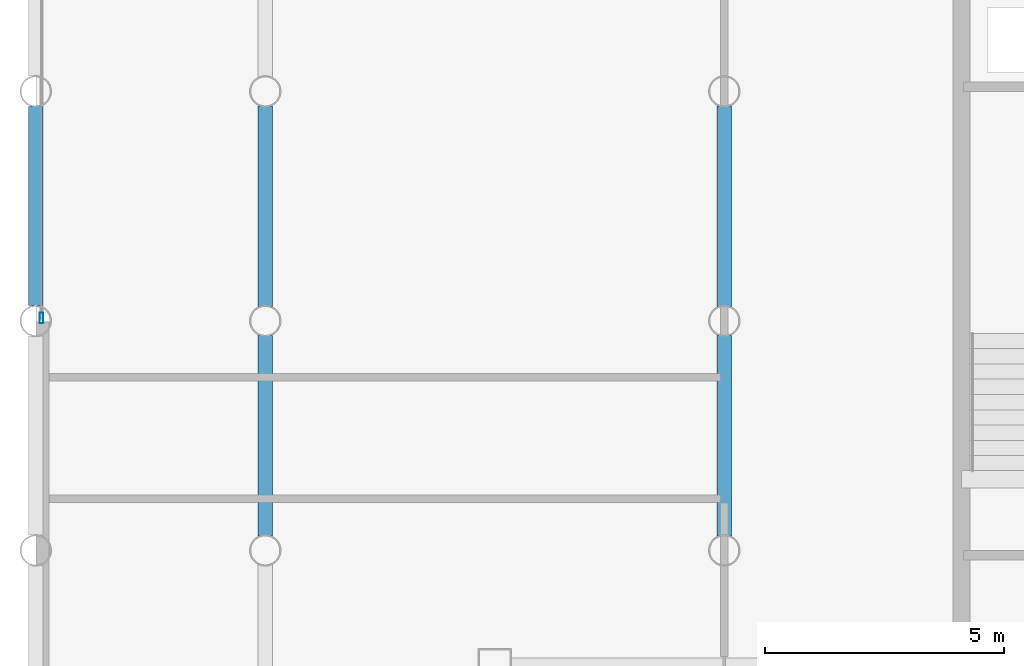
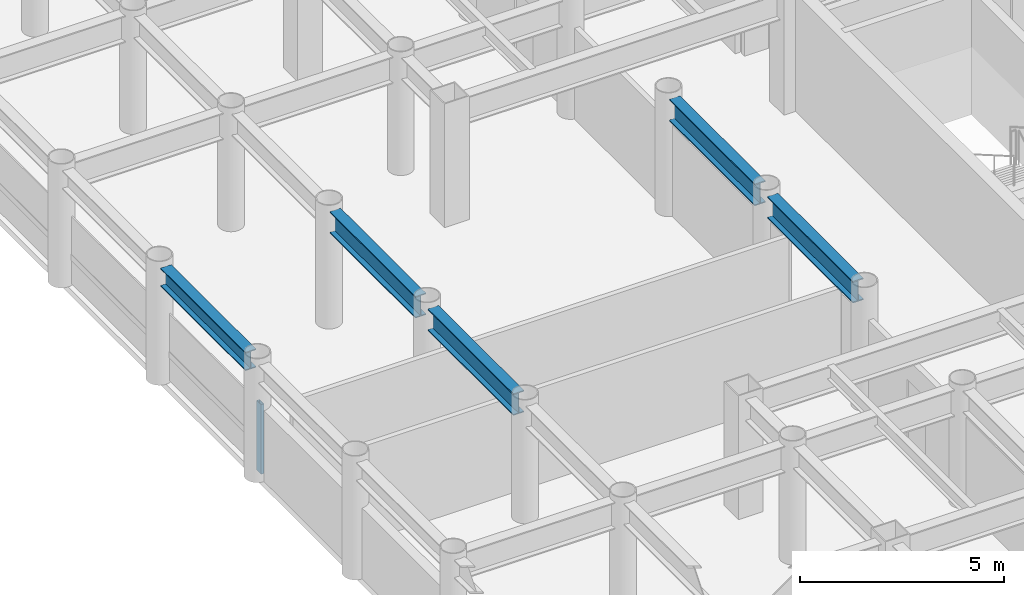
# One storey, part 4 of 20: 5 beams, 1 member, 1 element without a shape of its own.
"""IFC4 building model written with IfcOpenShell, lengths in metres."""

from ifc_helpers import new_model, si_unit, direction, frame, origin, origin_2d, place, context, subcontext, project, spatial, hollow_rectangle, i_section, extrude, material, layer, layer_set, material_profile, profile_set, type_object, element, aggregate, save


model = new_model("IFC4")

# Units and contexts
model_context = context("Model", 3, precision=1e-05, world=origin(), true_north=direction((0.0, 1.0)))
body_context = subcontext(model_context, "Body", "Model", "MODEL_VIEW")
ifc_project = project(units=[si_unit("LENGTHUNIT", "METRE"), si_unit("AREAUNIT", "SQUARE_METRE"), si_unit("VOLUMEUNIT", "CUBIC_METRE"), si_unit("PLANEANGLEUNIT", "RADIAN"), si_unit("MASSUNIT", "GRAM", prefix="KILO")], contexts=[model_context])

# Site, building, storey
site_placement = place(None, origin())
site = spatial("IfcSite", under=ifc_project, at=site_placement, CompositionType="ELEMENT")
building_placement = place(site_placement, origin())
building = spatial("IfcBuilding", under=site, at=building_placement, Name="Kallvorn Hotel Tower", CompositionType="ELEMENT")
storey_placement = place(building_placement, frame((0.0, 0.0, 143.300048828125)))
storey = spatial("IfcBuildingStorey", under=building, at=storey_placement, Name="L35", CompositionType="ELEMENT", Elevation=143.300048828125)

# Beams
ifc_material_1 = material(Name="Structural steel S355JR", Category="steel")
ifc_material_profile_1 = material_profile(ifc_material_1, i_section(OverallWidth=0.300048828125, OverallDepth=0.550048828125, WebThickness=0.014892578125, FlangeThickness=0.029052734375, at=origin_2d()), Name="HE 550 B")
ifc_profile_set_1 = profile_set([ifc_material_profile_1], Name="Structural steel S355JR")
beam_type_1 = type_object("IfcBeamType", Name="BM_HE550B", PredefinedType="SPANDREL", material=ifc_profile_set_1)
beam_placement = place(storey_placement, frame((-33.60009765625, 0.320068359375, 3.244873046875), z_axis=(0.0, 1.0, 0.0), x_axis=(-1.0, 0.0, 0.0)))
element("IfcBeam", 1, at=beam_placement, inside=storey, type_object=beam_type_1, Name="L36 Perimeter Spandrel 177", PredefinedType="SPANDREL", context=body_context, shape_type="SweptSolid", body=[
    extrude(i_section(OverallWidth=0.300048828125, OverallDepth=0.550048828125, WebThickness=0.014892578125, FlangeThickness=0.029052734375, at=origin_2d()), origin(), (0.0, 0.0, 1.0), 4.159912109375),
])
ifc_material_2 = material(Name="Structural steel S355JR", Category="steel")
ifc_material_profile_2 = material_profile(ifc_material_2, i_section(OverallWidth=0.300048828125, OverallDepth=0.64990234375, WebThickness=0.01611328125, FlangeThickness=0.031005859375, at=origin_2d()), Name="HE 650 B")
ifc_profile_set_2 = profile_set([ifc_material_profile_2], Name="Structural steel S355JR")
beam_type_2 = type_object("IfcBeamType", Name="BM_HE650B", PredefinedType="BEAM", material=ifc_profile_set_2)
for number, where, z_axis, x_axis, name in (
    (2, (-28.800048828125, -4.4951171875, 3.195068359375), (0.0, 1.0, 0.0), (-1.0, 0.0, 0.0), "L36 Primary Y-Girder 76"),
    (3, (-28.800048828125, 0.304931640625, 3.195068359375), (0.0, 1.0, 0.0), (-1.0, 0.0, 0.0), "L36 Primary Y-Girder 77"),
    (4, (-19.199951171875, -4.4951171875, 3.195068359375), (0.0, 1.0, 0.0), (-1.0, 0.0, 0.0), "L36 Primary Y-Girder 92"),
    (5, (-19.199951171875, 0.304931640625, 3.195068359375), (0.0, 1.0, 0.0), (-1.0, 0.0, 0.0), "L36 Primary Y-Girder 93"),
):
    element("IfcBeam", number, at=place(storey_placement, frame(where, z_axis=z_axis, x_axis=x_axis)), inside=storey, type_object=beam_type_2, Name=name, PredefinedType="BEAM", context=body_context, shape_type="SweptSolid", body=[
        extrude(i_section(OverallWidth=0.300048828125, OverallDepth=0.64990234375, WebThickness=0.01611328125, FlangeThickness=0.031005859375, at=origin_2d()), origin(), (0.0, 0.0, 1.0), 4.190185546875),
    ])

# Curtain wall, member
ifc_material_3 = material(Name="Thermally broken black-anodised aluminium AA 6063-T6", Category="aluminium")
ifc_layer = layer(ifc_material_3, 0.2099609375)
ifc_layer_set = layer_set([ifc_layer], Name="CW_SYS_4_HOTEL_MID")
curtain_wall_type = type_object("IfcCurtainWallType", Name="CW_SYS_4_HOTEL_MID", PredefinedType="USERDEFINED", material=ifc_layer_set)
curtain_wall_placement = place(storey_placement, origin())
curtain_wall = element("IfcCurtainWall", 6, at=curtain_wall_placement, inside=storey, type_object=curtain_wall_type, Name="L35 Dark-Glass Curtain Wall CW-L35-WN", ObjectType="UNITISED CURTAIN WALL", PredefinedType="USERDEFINED")
ifc_material_4 = material(Name="Thermally broken black-anodised aluminium AA 6063-T6", Category="aluminium")
ifc_material_profile_3 = material_profile(ifc_material_4, hollow_rectangle(XDim=0.080078125, YDim=0.219970703125, WallThickness=0.0048828125, at=origin_2d()), Name="MUL 220x80")
ifc_profile_set_3 = profile_set([ifc_material_profile_3], Name="Thermally broken black-anodised aluminium AA 6063-T6")
member_type = type_object("IfcMemberType", Name="CW_MULLION_220x80", PredefinedType="MULLION", material=ifc_profile_set_3)
member_placement = place(storey_placement, frame((-33.47998046875, 0.06005859375, 0.02001953125), z_axis=(0.0, 0.0, 1.0), x_axis=(1.0, 0.0, 0.0)))
member = element("IfcMember", 7, at=member_placement, type_object=member_type, Name="CW-L35-WN Mullion 00", PredefinedType="MULLION", context=body_context, shape_type="SweptSolid", body=[
    extrude(hollow_rectangle(XDim=0.080078125, YDim=0.219970703125, WallThickness=0.0048828125, at=origin_2d()), origin(), (0.0, 0.0, 1.0), 2.079833984375),
])
aggregate(curtain_wall, [member])

save(model, "model.ifc")
